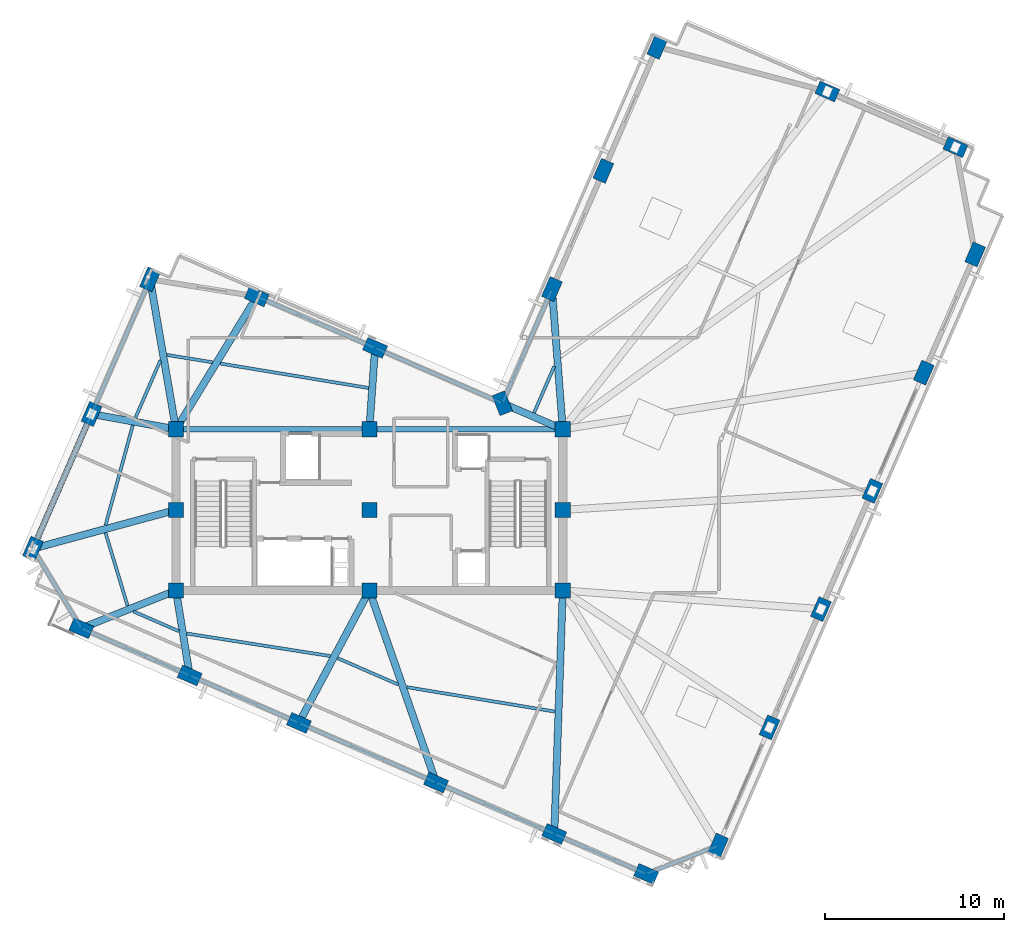
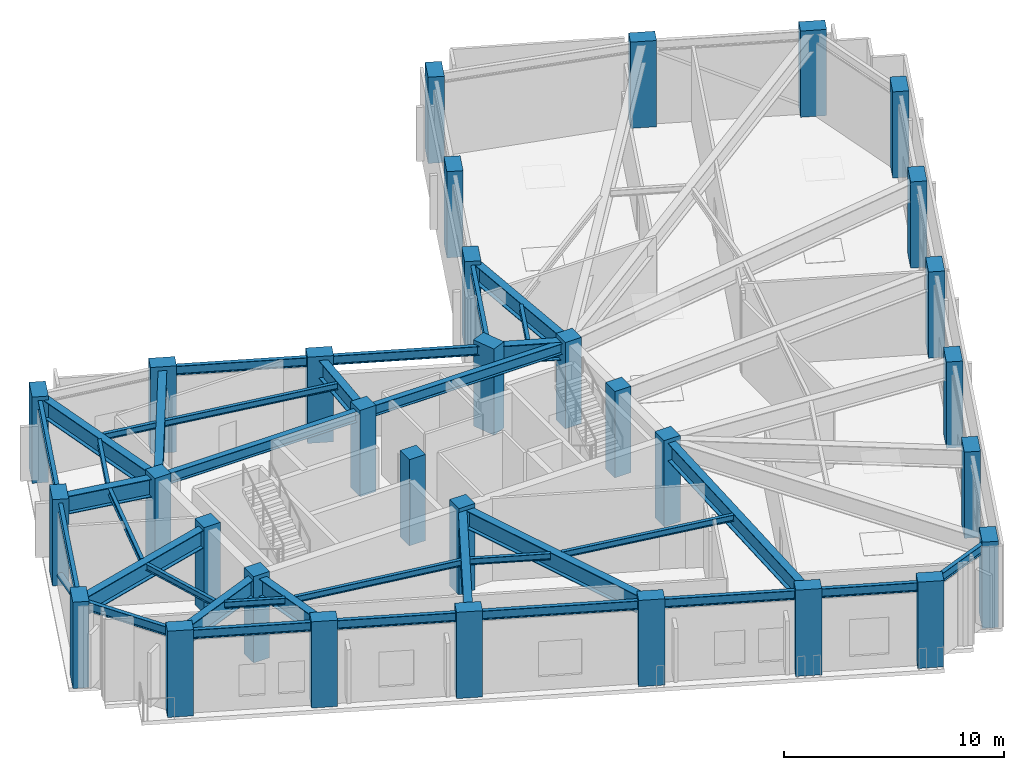
# One storey, part 1 of 11: 36 beams, 32 columns, 1 member.
"""IFC4 building model written with IfcOpenShell, lengths in metres."""

from ifc_helpers import new_model, si_unit, direction, frame, origin, origin_2d, place, context, subcontext, project, spatial, rectangle, hollow_circle, i_section, extrude, material, material_profile, profile_set, type_object, element, save


model = new_model("IFC4")

# Units and contexts
model_context = context("Model", 3, precision=1e-05, world=origin(), true_north=direction((0.0, 1.0)))
body_context = subcontext(model_context, "Body", "Model", "MODEL_VIEW")
ifc_project = project(units=[si_unit("LENGTHUNIT", "METRE"), si_unit("AREAUNIT", "SQUARE_METRE"), si_unit("VOLUMEUNIT", "CUBIC_METRE"), si_unit("PLANEANGLEUNIT", "RADIAN"), si_unit("MASSUNIT", "GRAM", prefix="KILO")], contexts=[model_context])

# Site, building, storey
site_placement = place(None, origin())
site = spatial("IfcSite", under=ifc_project, at=site_placement, CompositionType="ELEMENT")
building_placement = place(site_placement, origin())
building = spatial("IfcBuilding", under=site, at=building_placement, Name="Gaonmaruhae Medical Tower", CompositionType="ELEMENT")
storey_placement = place(building_placement, frame((0.0, 0.0, 328.60009765625)))
storey = spatial("IfcBuildingStorey", under=building, at=storey_placement, Name="L79", CompositionType="ELEMENT", Elevation=328.60009765625)

# Columns
ifc_material_1 = material(Name="Concrete C50/60", Category="concrete")
ifc_material_profile_1 = material_profile(ifc_material_1, rectangle(XDim=0.85009765625, YDim=0.85009765625, at=origin_2d()), Name="RC-850x850")
ifc_profile_set_1 = profile_set([ifc_material_profile_1], Name="Concrete C50/60")
column_type_1 = type_object("IfcColumnType", Name="CC-06 Upper Core Column (RC-850x850)", PredefinedType="COLUMN", material=ifc_profile_set_1)
for number, where, z_axis, x_axis, name in (
    (1, (14.0, 7.800048828125, 0.0), (0.0, 0.0, 1.0), (1.0, 0.0, 0.0), "L79 Plumb Core Column CC11"),
    (2, (14.0, 12.300048828125, 0.0), (0.0, 0.0, 1.0), (1.0, 0.0, 0.0), "L79 Plumb Core Column CC12"),
    (3, (14.0, 16.800048828125, 0.0), (0.0, 0.0, 1.0), (1.0, 0.0, 0.0), "L79 Plumb Core Column CC13"),
    (4, (24.800048828125, 7.800048828125, 0.0), (0.0, 0.0, 1.0), (1.0, 0.0, 0.0), "L79 Plumb Core Column CC21"),
    (5, (24.800048828125, 12.300048828125, 0.0), (0.0, 0.0, 1.0), (1.0, 0.0, 0.0), "L79 Plumb Core Column CC22"),
    (6, (24.800048828125, 16.800048828125, 0.0), (0.0, 0.0, 1.0), (1.0, 0.0, 0.0), "L79 Plumb Core Column CC23"),
    (7, (35.60009765625, 7.800048828125, 0.0), (0.0, 0.0, 1.0), (1.0, 0.0, 0.0), "L79 Plumb Core Column CC31"),
    (8, (35.60009765625, 12.300048828125, 0.0), (0.0, 0.0, 1.0), (1.0, 0.0, 0.0), "L79 Plumb Core Column CC32"),
    (9, (35.60009765625, 16.800048828125, 0.0), (0.0, 0.0, 1.0), (1.0, 0.0, 0.0), "L79 Plumb Core Column CC33"),
):
    element("IfcColumn", number, at=place(storey_placement, frame(where, z_axis=z_axis, x_axis=x_axis)), inside=storey, type_object=column_type_1, Name=name, PredefinedType="COLUMN", context=body_context, shape_type="SweptSolid", body=[
        extrude(rectangle(XDim=0.85009765625, YDim=0.85009765625, at=origin_2d()), origin(), (0.0, 0.0, 1.0), 4.7998046875),
    ])
ifc_material_profile_2 = material_profile(ifc_material_1, rectangle(XDim=1.199951171875, YDim=0.75, at=origin_2d()), Name="RC-1200x750")
ifc_profile_set_2 = profile_set([ifc_material_profile_2], Name="Concrete C50/60")
column_type_2 = type_object("IfcColumnType", Name="TC-03 Upper Raking Tube Pier Column (RC-1200x750)", PredefinedType="COLUMN", material=ifc_profile_set_2)
for number, where, z_axis, x_axis, name in (
    (10, (44.275146484375, -6.448486328125, 0.001708984375), (0.0, 0.0, 1.0), (0.398749068925, 0.917060074385, 0.0), "L79 Perimeter Tube Column S01"),
    (11, (47.14599609375, 0.154296875, 0.001708984375), (0.0, 0.0, 1.0), (0.398749068925, 0.917060074385, 0.0), "L79 Perimeter Tube Column S02"),
    (12, (50.01708984375, 6.75732421875, 0.001708984375), (0.0, 0.0, 1.0), (0.398749068925, 0.917060074385, 0.0), "L79 Perimeter Tube Column S03"),
    (13, (52.88818359375, 13.360107421875, 0.001708984375), (0.0, 0.0, 1.0), (0.398749068925, 0.917060074385, 0.0), "L79 Perimeter Tube Column S04"),
    (14, (55.759033203125, 19.962890625, 0.001708984375), (0.0, 0.0, 1.0), (0.398749068925, 0.917060074385, 0.0), "L79 Perimeter Tube Column S05"),
    (15, (58.630126953125, 26.565673828125, 0.001708984375), (0.0, 0.0, 1.0), (0.398749068925, 0.917060074385, 0.0), "L79 Perimeter Tube Column S06"),
    (16, (57.525634765625, 32.552734375, 0.001708984375), (0.0, 0.0, 1.0), (-0.917060074385, 0.398749068925, 0.0), "L79 Perimeter Tube Column E01"),
    (17, (50.372802734375, 35.662841796875, 0.001708984375), (0.0, 0.0, 1.0), (-0.917060074385, 0.398749068925, 0.0), "L79 Perimeter Tube Column E02"),
    (18, (40.879150390625, 38.155029296875, 0.001708984375), (0.0, 0.0, 1.0), (0.398749068925, 0.917060074385, 0.0), "L79 Perimeter Tube Column E03"),
    (19, (37.868408203125, 31.2314453125, 0.001708984375), (0.0, 0.0, 1.0), (0.398749068925, 0.917060074385, 0.0), "L79 Perimeter Tube Column EN01"),
    (20, (34.99755859375, 24.62841796875, 0.001708984375), (0.0, 0.0, 1.0), (0.398749068925, 0.917060074385, 0.0), "L79 Perimeter Tube Column EN02"),
    (21, (32.226318359375, 18.2548828125, 0.001708984375), (0.0, 0.0, 1.0), (-0.366501226724, 0.930417567982, 0.0), "L79 Perimeter Tube Column KN01"),
    (22, (25.118896484375, 21.34521484375, 0.001708984375), (0.0, 0.0, 1.0), (-0.917060074385, 0.398749068925, 0.0), "L79 Perimeter Tube Column NE01"),
    (23, (18.51611328125, 24.21630859375, 0.001708984375), (0.0, 0.0, 1.0), (-0.917060074385, 0.398749068925, 0.0), "L79 Perimeter Tube Column NE02"),
    (24, (12.55322265625, 25.17333984375, 0.001708984375), (0.0, 0.0, 1.0), (0.398749068925, 0.917060074385, 0.0), "L79 Perimeter Tube Column N01"),
    (25, (9.283447265625, 17.653564453125, 0.001708984375), (0.0, 0.0, 1.0), (0.398749068925, 0.917060074385, 0.0), "L79 Perimeter Tube Column N02"),
    (26, (6.013671875, 10.133544921875, 0.001708984375), (0.0, 0.0, 1.0), (0.398749068925, 0.917060074385, 0.0), "L79 Perimeter Tube Column N03"),
    (27, (8.715087890625, 5.687744140625, 0.001708984375), (0.0, 0.0, 1.0), (-0.917060074385, 0.398749068925, 0.0), "L79 Perimeter Tube Column W01"),
    (28, (14.767578125, 3.055908203125, 0.001708984375), (0.0, 0.0, 1.0), (-0.917060074385, 0.398749068925, 0.0), "L79 Perimeter Tube Column W02"),
    (29, (20.865966796875, 0.404296875, 0.001708984375), (0.0, 0.0, 1.0), (-0.917060074385, 0.398749068925, 0.0), "L79 Perimeter Tube Column W03"),
    (30, (28.5234375, -2.92529296875, 0.001708984375), (0.0, 0.0, 1.0), (-0.917060074385, 0.398749068925, 0.0), "L79 Perimeter Tube Column W04"),
    (31, (35.12646484375, -5.79638671875, 0.001708984375), (0.0, 0.0, 1.0), (-0.917060074385, 0.398749068925, 0.0), "L79 Perimeter Tube Column W05"),
    (32, (40.261962890625, -8.029296875, 0.001708984375), (0.0, 0.0, 1.0), (-0.917060074385, 0.398749068925, 0.0), "L79 Perimeter Tube Column W06"),
):
    element("IfcColumn", number, at=place(storey_placement, frame(where, z_axis=z_axis, x_axis=x_axis)), inside=storey, type_object=column_type_2, Name=name, PredefinedType="COLUMN", context=body_context, shape_type="SweptSolid", body=[
        extrude(rectangle(XDim=1.199951171875, YDim=0.75, at=origin_2d()), origin(), (0.0, 0.0, 1.0), 4.79638671875),
    ])

# Beams
ifc_material_2 = material(Name="Steel SM420", Category="steel")
ifc_material_profile_3 = material_profile(ifc_material_2, i_section(OverallWidth=0.39990234375, OverallDepth=1.0, WebThickness=0.02197265625, FlangeThickness=0.035888671875, at=origin_2d()), Name="BH-1000x400x22x36")
ifc_profile_set_3 = profile_set([ifc_material_profile_3], Name="Steel SM420")
beam_type_1 = type_object("IfcBeamType", Name="BG-02 Refuge Floor Primary Girder (BH-1000x400x22x36)", PredefinedType="BEAM", material=ifc_profile_set_3)
beam_1_placement = place(storey_placement, frame((35.59619140625, 16.849853515625, 4.079833984375), z_axis=(-0.076722992115, 0.997052447207, 0.0), x_axis=(-0.997052447207, -0.076722992115, 0.0)))
element("IfcBeam", 33, at=beam_1_placement, inside=storey, type_object=beam_type_1, Name="L79 Radial Primary Girder EN02", PredefinedType="BEAM", context=body_context, shape_type="SweptSolid", body=[
    extrude(i_section(OverallWidth=0.39990234375, OverallDepth=1.0, WebThickness=0.02197265625, FlangeThickness=0.035888671875, at=origin_2d()), origin(), (0.0, 0.0, 1.0), 7.751708984375),
])
beam_2_placement = place(storey_placement, frame((35.55419921875, 16.81982421875, 4.079833984375), z_axis=(-0.918259431029, 0.395979314266, 0.0), x_axis=(-0.395979314266, -0.918259431029, 0.0)))
element("IfcBeam", 34, at=beam_2_placement, inside=storey, type_object=beam_type_1, Name="L79 Radial Primary Girder KN01", PredefinedType="BEAM", context=body_context, shape_type="SweptSolid", body=[
    extrude(i_section(OverallWidth=0.39990234375, OverallDepth=1.0, WebThickness=0.02197265625, FlangeThickness=0.035888671875, at=origin_2d()), origin(), (0.0, 0.0, 1.0), 3.57421875),
])
beam_3_placement = place(storey_placement, frame((24.803466796875, 16.849853515625, 4.079833984375), z_axis=(0.070012845455, 0.997546089898, 0.0), x_axis=(-0.997546089898, 0.070012845455, 0.0)))
element("IfcBeam", 35, at=beam_3_placement, inside=storey, type_object=beam_type_1, Name="L79 Radial Primary Girder NE01", PredefinedType="BEAM", context=body_context, shape_type="SweptSolid", body=[
    extrude(i_section(OverallWidth=0.39990234375, OverallDepth=1.0, WebThickness=0.02197265625, FlangeThickness=0.035888671875, at=origin_2d()), origin(), (0.0, 0.0, 1.0), 4.45654296875),
])
beam_4_placement = place(storey_placement, frame((14.026123046875, 16.8427734375, 4.079833984375), z_axis=(0.520106658264, 0.854101319534, 0.0), x_axis=(-0.854101319534, 0.520106658264, 0.0)))
element("IfcBeam", 36, at=beam_4_placement, inside=storey, type_object=beam_type_1, Name="L79 Radial Primary Girder NE02", PredefinedType="BEAM", context=body_context, shape_type="SweptSolid", body=[
    extrude(i_section(OverallWidth=0.39990234375, OverallDepth=1.0, WebThickness=0.02197265625, FlangeThickness=0.035888671875, at=origin_2d()), origin(), (0.0, 0.0, 1.0), 8.5830078125),
])
beam_5_placement = place(storey_placement, frame((13.991455078125, 16.849365234375, 4.079833984375), z_axis=(-0.170256429826, 0.985399791, 0.0), x_axis=(-0.985399791, -0.170256429826, 0.0)))
element("IfcBeam", 37, at=beam_5_placement, inside=storey, type_object=beam_type_1, Name="L79 Radial Primary Girder N01", PredefinedType="BEAM", context=body_context, shape_type="SweptSolid", body=[
    extrude(i_section(OverallWidth=0.39990234375, OverallDepth=1.0, WebThickness=0.02197265625, FlangeThickness=0.035888671875, at=origin_2d()), origin(), (0.0, 0.0, 1.0), 8.397216796875),
])
beam_6_placement = place(storey_placement, frame((13.95068359375, 16.808837890625, 4.079833984375), z_axis=(-0.984016905829, 0.17807506575, 0.0), x_axis=(-0.17807506575, -0.984016905829, 0.0)))
element("IfcBeam", 38, at=beam_6_placement, inside=storey, type_object=beam_type_1, Name="L79 Radial Primary Girder N02", PredefinedType="BEAM", context=body_context, shape_type="SweptSolid", body=[
    extrude(i_section(OverallWidth=0.39990234375, OverallDepth=1.0, WebThickness=0.02197265625, FlangeThickness=0.035888671875, at=origin_2d()), origin(), (0.0, 0.0, 1.0), 4.69287109375),
])
beam_7_placement = place(storey_placement, frame((13.95166015625, 12.286865234375, 4.079833984375), z_axis=(-0.965122679795, -0.261798038467, 0.0), x_axis=(0.261798038467, -0.965122679795, 0.0)))
element("IfcBeam", 39, at=beam_7_placement, inside=storey, type_object=beam_type_1, Name="L79 Radial Primary Girder N03", PredefinedType="BEAM", context=body_context, shape_type="SweptSolid", body=[
    extrude(i_section(OverallWidth=0.39990234375, OverallDepth=1.0, WebThickness=0.02197265625, FlangeThickness=0.035888671875, at=origin_2d()), origin(), (0.0, 0.0, 1.0), 8.1748046875),
])
beam_8_placement = place(storey_placement, frame((13.95361328125, 7.781494140625, 4.079833984375), z_axis=(-0.928579037594, -0.371134707272, 0.0), x_axis=(0.371134707272, -0.928579037594, 0.0)))
element("IfcBeam", 40, at=beam_8_placement, inside=storey, type_object=beam_type_1, Name="L79 Radial Primary Girder W01", PredefinedType="BEAM", context=body_context, shape_type="SweptSolid", body=[
    extrude(i_section(OverallWidth=0.39990234375, OverallDepth=1.0, WebThickness=0.02197265625, FlangeThickness=0.035888671875, at=origin_2d()), origin(), (0.0, 0.0, 1.0), 5.591552734375),
])
beam_9_placement = place(storey_placement, frame((14.008056640625, 7.750732421875, 4.079833984375), z_axis=(0.159685869984, -0.987167879809, 0.0), x_axis=(0.987167879809, 0.159685869984, 0.0)))
element("IfcBeam", 41, at=beam_9_placement, inside=storey, type_object=beam_type_1, Name="L79 Radial Primary Girder W02", PredefinedType="BEAM", context=body_context, shape_type="SweptSolid", body=[
    extrude(i_section(OverallWidth=0.39990234375, OverallDepth=1.0, WebThickness=0.02197265625, FlangeThickness=0.035888671875, at=origin_2d()), origin(), (0.0, 0.0, 1.0), 4.705810546875),
])
beam_10_placement = place(storey_placement, frame((24.776611328125, 7.755859375, 4.079833984375), z_axis=(-0.469618843189, -0.882869266722, 0.0), x_axis=(0.882869266722, -0.469618843189, 0.0)))
element("IfcBeam", 42, at=beam_10_placement, inside=storey, type_object=beam_type_1, Name="L79 Radial Primary Girder W03", PredefinedType="BEAM", context=body_context, shape_type="SweptSolid", body=[
    extrude(i_section(OverallWidth=0.39990234375, OverallDepth=1.0, WebThickness=0.02197265625, FlangeThickness=0.035888671875, at=origin_2d()), origin(), (0.0, 0.0, 1.0), 8.27685546875),
])
beam_11_placement = place(storey_placement, frame((24.81640625, 7.752685546875, 4.079833984375), z_axis=(0.327964362011, -0.944690095878, 0.0), x_axis=(0.944690095878, 0.327964362011, 0.0)))
element("IfcBeam", 43, at=beam_11_placement, inside=storey, type_object=beam_type_1, Name="L79 Radial Primary Girder W04", PredefinedType="BEAM", context=body_context, shape_type="SweptSolid", body=[
    extrude(i_section(OverallWidth=0.39990234375, OverallDepth=1.0, WebThickness=0.02197265625, FlangeThickness=0.035888671875, at=origin_2d()), origin(), (0.0, 0.0, 1.0), 11.253173828125),
])
beam_12_placement = place(storey_placement, frame((35.59814453125, 7.75, 4.079833984375), z_axis=(-0.034800997703, -0.99939426182, 0.0), x_axis=(0.99939426182, -0.034800997703, 0.0)))
element("IfcBeam", 44, at=beam_12_placement, inside=storey, type_object=beam_type_1, Name="L79 Radial Primary Girder W05", PredefinedType="BEAM", context=body_context, shape_type="SweptSolid", body=[
    extrude(i_section(OverallWidth=0.39990234375, OverallDepth=1.0, WebThickness=0.02197265625, FlangeThickness=0.035888671875, at=origin_2d()), origin(), (0.0, 0.0, 1.0), 13.504638671875),
])
ifc_material_3 = material(Name="Steel SM355", Category="steel")
ifc_material_profile_4 = material_profile(ifc_material_3, i_section(OverallWidth=0.175048828125, OverallDepth=0.35009765625, WebThickness=0.007080078125, FlangeThickness=0.010986328125, FilletRadius=0.012939453125, at=origin_2d()), Name="H-350x175x7x11")
ifc_profile_set_4 = profile_set([ifc_material_profile_4], Name="Steel SM355")
beam_type_2 = type_object("IfcBeamType", Name="FJ-02 Upper Zone Ward Floor Joist (H-350x175x7x11)", PredefinedType="JOIST", material=ifc_profile_set_4)
beam_13_placement = place(storey_placement, frame((35.1259765625, 20.31689453125, 4.40478515625), z_axis=(-0.398704074368, -0.917079637263, 0.0), x_axis=(0.917079637263, -0.398704074368, 0.0)))
element("IfcBeam", 45, at=beam_13_placement, inside=storey, type_object=beam_type_2, Name="L79 Secondary Floor Joist FJ08", PredefinedType="JOIST", context=body_context, shape_type="SweptSolid", body=[
    extrude(i_section(OverallWidth=0.175048828125, OverallDepth=0.35009765625, WebThickness=0.007080078125, FlangeThickness=0.010986328125, FilletRadius=0.012939453125, at=origin_2d()), origin(), (0.0, 0.0, 1.0), 2.835693359375),
])
beam_14_placement = place(storey_placement, frame((24.75537109375, 19.106201171875, 4.40478515625), z_axis=(-0.986663894193, 0.162770881598, 0.0), x_axis=(-0.162770881598, -0.986663894193, 0.0)))
element("IfcBeam", 46, at=beam_14_placement, inside=storey, type_object=beam_type_2, Name="L79 Secondary Floor Joist FJ10", PredefinedType="JOIST", context=body_context, shape_type="SweptSolid", body=[
    extrude(i_section(OverallWidth=0.175048828125, OverallDepth=0.35009765625, WebThickness=0.007080078125, FlangeThickness=0.010986328125, FilletRadius=0.012939453125, at=origin_2d()), origin(), (0.0, 0.0, 1.0), 8.390380859375),
])
beam_15_placement = place(storey_placement, frame((16.038818359375, 20.543212890625, 4.40478515625), z_axis=(-0.987360795074, 0.158488675779, 0.0), x_axis=(-0.158488675779, -0.987360795074, 0.0)))
element("IfcBeam", 47, at=beam_15_placement, inside=storey, type_object=beam_type_2, Name="L79 Secondary Floor Joist FJ11", PredefinedType="JOIST", context=body_context, shape_type="SweptSolid", body=[
    extrude(i_section(OverallWidth=0.175048828125, OverallDepth=0.35009765625, WebThickness=0.007080078125, FlangeThickness=0.010986328125, FilletRadius=0.012939453125, at=origin_2d()), origin(), (0.0, 0.0, 1.0), 2.580322265625),
])
beam_16_placement = place(storey_placement, frame((13.12890625, 20.64697265625, 4.40478515625), z_axis=(-0.398746411425, -0.917061229895, 0.0), x_axis=(0.917061229895, -0.398746411425, 0.0)))
element("IfcBeam", 48, at=beam_16_placement, inside=storey, type_object=beam_type_2, Name="L79 Secondary Floor Joist FJ12", PredefinedType="JOIST", context=body_context, shape_type="SweptSolid", body=[
    extrude(i_section(OverallWidth=0.175048828125, OverallDepth=0.35009765625, WebThickness=0.007080078125, FlangeThickness=0.010986328125, FilletRadius=0.012939453125, at=origin_2d()), origin(), (0.0, 0.0, 1.0), 3.51806640625),
])
beam_17_placement = place(storey_placement, frame((11.58740234375, 17.027099609375, 4.40478515625), z_axis=(-0.262477989376, -0.964937979921, 0.0), x_axis=(0.964937979921, -0.262477989376, 0.0)))
element("IfcBeam", 49, at=beam_17_placement, inside=storey, type_object=beam_type_2, Name="L79 Secondary Floor Joist FJ13", PredefinedType="JOIST", context=body_context, shape_type="SweptSolid", body=[
    extrude(i_section(OverallWidth=0.175048828125, OverallDepth=0.35009765625, WebThickness=0.007080078125, FlangeThickness=0.010986328125, FilletRadius=0.012939453125, at=origin_2d()), origin(), (0.0, 0.0, 1.0), 5.78369140625),
])
beam_18_placement = place(storey_placement, frame((10.06640625, 11.01953125, 4.40478515625), z_axis=(0.289103701868, -0.957297785209, 0.0), x_axis=(0.957297785209, 0.289103701868, 0.0)))
element("IfcBeam", 50, at=beam_18_placement, inside=storey, type_object=beam_type_2, Name="L79 Secondary Floor Joist FJ14", PredefinedType="JOIST", context=body_context, shape_type="SweptSolid", body=[
    extrude(i_section(OverallWidth=0.175048828125, OverallDepth=0.35009765625, WebThickness=0.007080078125, FlangeThickness=0.010986328125, FilletRadius=0.012939453125, at=origin_2d()), origin(), (0.0, 0.0, 1.0), 4.259521484375),
])
beam_19_placement = place(storey_placement, frame((11.62109375, 6.629150390625, 4.40478515625), z_axis=(0.917075663277, -0.398713215012, 0.0), x_axis=(0.398713215012, 0.917075663277, 0.0)))
element("IfcBeam", 51, at=beam_19_placement, inside=storey, type_object=beam_type_2, Name="L79 Secondary Floor Joist FJ15", PredefinedType="JOIST", context=body_context, shape_type="SweptSolid", body=[
    extrude(i_section(OverallWidth=0.175048828125, OverallDepth=0.35009765625, WebThickness=0.007080078125, FlangeThickness=0.010986328125, FilletRadius=0.012939453125, at=origin_2d()), origin(), (0.0, 0.0, 1.0), 2.768798828125),
])
beam_20_placement = place(storey_placement, frame((14.59765625, 5.39453125, 4.40478515625), z_axis=(0.9879068852, -0.15504833496, 0.0), x_axis=(0.15504833496, 0.9879068852, 0.0)))
element("IfcBeam", 52, at=beam_20_placement, inside=storey, type_object=beam_type_2, Name="L79 Secondary Floor Joist FJ16", PredefinedType="JOIST", context=body_context, shape_type="SweptSolid", body=[
    extrude(i_section(OverallWidth=0.175048828125, OverallDepth=0.35009765625, WebThickness=0.007080078125, FlangeThickness=0.010986328125, FilletRadius=0.012939453125, at=origin_2d()), origin(), (0.0, 0.0, 1.0), 8.11865234375),
])
beam_21_placement = place(storey_placement, frame((23.0224609375, 4.019775390625, 4.40478515625), z_axis=(0.91705533197, -0.398759975555, 0.0), x_axis=(0.398759975555, 0.91705533197, 0.0)))
element("IfcBeam", 53, at=beam_21_placement, inside=storey, type_object=beam_type_2, Name="L79 Secondary Floor Joist FJ17", PredefinedType="JOIST", context=body_context, shape_type="SweptSolid", body=[
    extrude(i_section(OverallWidth=0.175048828125, OverallDepth=0.35009765625, WebThickness=0.007080078125, FlangeThickness=0.010986328125, FilletRadius=0.012939453125, at=origin_2d()), origin(), (0.0, 0.0, 1.0), 3.690673828125),
])
beam_22_placement = place(storey_placement, frame((26.892333984375, 2.3994140625, 4.40478515625), z_axis=(0.986661186603, -0.162787293274, 0.0), x_axis=(0.162787293274, 0.986661186603, 0.0)))
element("IfcBeam", 54, at=beam_22_placement, inside=storey, type_object=beam_type_2, Name="L79 Secondary Floor Joist FJ18", PredefinedType="JOIST", context=body_context, shape_type="SweptSolid", body=[
    extrude(i_section(OverallWidth=0.175048828125, OverallDepth=0.35009765625, WebThickness=0.007080078125, FlangeThickness=0.010986328125, FilletRadius=0.012939453125, at=origin_2d()), origin(), (0.0, 0.0, 1.0), 8.377685546875),
])

# Member
ifc_material_profile_5 = material_profile(ifc_material_3, hollow_circle(Radius=0.1591796875, WallThickness=0.01025390625, at=origin_2d()), Name="CHS-318.5x10.3")
ifc_profile_set_5 = profile_set([ifc_material_profile_5], Name="Steel SM355")
member_type = type_object("IfcMemberType", Name="PB-03 Perimeter Solid-Bay Tube Brace Upper (CHS-318.5x10.3)", PredefinedType="BRACE", material=ifc_profile_set_5)
member_placement = place(storey_placement, frame((9.283447265625, 17.653564453125, 0.25), z_axis=(-0.357001588613, -0.821053007725, 0.445445646779), x_axis=(0.917061062653, -0.398746796056, 0.0)))
element("IfcMember", 55, at=member_placement, inside=storey, type_object=member_type, Name="L79 Perimeter Tube Solid-Bay Brace N02-N03", PredefinedType="BRACE", context=body_context, shape_type="SweptSolid", body=[
    extrude(hollow_circle(Radius=0.1591796875, WallThickness=0.01025390625, at=origin_2d()), origin(), (0.0, 0.0, 1.0), 9.158935546875),
])

# Beams
ifc_material_profile_6 = material_profile(ifc_material_2, i_section(OverallWidth=0.300048828125, OverallDepth=0.60009765625, WebThickness=0.011962890625, FlangeThickness=0.02001953125, FilletRadius=0.012939453125, at=origin_2d()), Name="H-600x300x12x20")
ifc_profile_set_6 = profile_set([ifc_material_profile_6], Name="Steel SM420")
beam_type_3 = type_object("IfcBeamType", Name="PG-04 Zone 4 Radial Floor Girder (H-600x300x12x20)", PredefinedType="BEAM", material=ifc_profile_set_6)
for number, where, z_axis, x_axis, name in (
    (56, (14.050048828125, 16.800048828125, 4.27978515625), (1.0, 0.0, 0.0), (0.0, 1.0, 0.0), "L79 Beam BM-L79-CG-N1"),
    (57, (24.85009765625, 16.800048828125, 4.27978515625), (1.0, 0.0, 0.0), (0.0, 1.0, 0.0), "L79 Beam BM-L79-CG-N2"),
):
    element("IfcBeam", number, at=place(storey_placement, frame(where, z_axis=z_axis, x_axis=x_axis)), inside=storey, type_object=beam_type_3, Name=name, PredefinedType="BEAM", context=body_context, shape_type="SweptSolid", body=[
        extrude(i_section(OverallWidth=0.300048828125, OverallDepth=0.60009765625, WebThickness=0.011962890625, FlangeThickness=0.02001953125, FilletRadius=0.012939453125, at=origin_2d()), origin(), (0.0, 0.0, 1.0), 10.699951171875),
    ])
ifc_material_profile_7 = material_profile(ifc_material_3, i_section(OverallWidth=0.199951171875, OverallDepth=0.5, WebThickness=0.010009765625, FlangeThickness=0.01611328125, FilletRadius=0.012939453125, at=origin_2d()), Name="H-500x200x10x16")
ifc_profile_set_7 = profile_set([ifc_material_profile_7], Name="Steel SM355")
beam_type_4 = type_object("IfcBeamType", Name="SP-02 Upper Perimeter Spandrel Beam (H-500x200x10x16)", PredefinedType="SPANDREL", material=ifc_profile_set_7)
beam_23_placement = place(storey_placement, frame((34.981689453125, 24.591796875, 4.329833984375), z_axis=(-0.398768993563, -0.917051410649, 0.0), x_axis=(0.917051410649, -0.398768993563, 0.0)))
element("IfcBeam", 58, at=beam_23_placement, inside=storey, type_object=beam_type_4, Name="L79 Perimeter Spandrel Beam EN02-KN01", PredefinedType="SPANDREL", context=body_context, shape_type="SweptSolid", body=[
    extrude(i_section(OverallWidth=0.199951171875, OverallDepth=0.5, WebThickness=0.010009765625, FlangeThickness=0.01611328125, FilletRadius=0.012939453125, at=origin_2d()), origin(), (0.0, 0.0, 1.0), 6.869873046875),
])
beam_24_placement = place(storey_placement, frame((32.189453125, 18.27099609375, 4.329833984375), z_axis=(-0.917059428629, 0.398750554059, 0.0), x_axis=(-0.398750554059, -0.917059428629, 0.0)))
element("IfcBeam", 59, at=beam_24_placement, inside=storey, type_object=beam_type_4, Name="L79 Perimeter Spandrel Beam KN01-NE01", PredefinedType="SPANDREL", context=body_context, shape_type="SweptSolid", body=[
    extrude(i_section(OverallWidth=0.199951171875, OverallDepth=0.5, WebThickness=0.010009765625, FlangeThickness=0.01611328125, FilletRadius=0.012939453125, at=origin_2d()), origin(), (0.0, 0.0, 1.0), 7.669921875),
])
beam_25_placement = place(storey_placement, frame((25.082275390625, 21.361083984375, 4.329833984375), z_axis=(-0.917055336493, 0.398759965154, 0.0), x_axis=(-0.398759965154, -0.917055336493, 0.0)))
element("IfcBeam", 60, at=beam_25_placement, inside=storey, type_object=beam_type_4, Name="L79 Perimeter Spandrel Beam NE01-NE02", PredefinedType="SPANDREL", context=body_context, shape_type="SweptSolid", body=[
    extrude(i_section(OverallWidth=0.199951171875, OverallDepth=0.5, WebThickness=0.010009765625, FlangeThickness=0.01611328125, FilletRadius=0.012939453125, at=origin_2d()), origin(), (0.0, 0.0, 1.0), 7.119873046875),
])
for number, where, z_axis, x_axis, name in (
    (61, (12.537353515625, 25.13671875, 4.329833984375), (-0.398743701995, -0.917062407974, 0.0), (0.917062407974, -0.398743701995, 0.0), "L79 Perimeter Spandrel Beam N01-N02"),
    (62, (9.267578125, 17.61669921875, 4.329833984375), (-0.398743701995, -0.917062407974, 0.0), (0.917062407974, -0.398743701995, 0.0), "L79 Perimeter Spandrel Beam N02-N03"),
):
    element("IfcBeam", number, at=place(storey_placement, frame(where, z_axis=z_axis, x_axis=x_axis)), inside=storey, type_object=beam_type_4, Name=name, PredefinedType="SPANDREL", context=body_context, shape_type="SweptSolid", body=[
        extrude(i_section(OverallWidth=0.199951171875, OverallDepth=0.5, WebThickness=0.010009765625, FlangeThickness=0.01611328125, FilletRadius=0.012939453125, at=origin_2d()), origin(), (0.0, 0.0, 1.0), 8.119873046875),
    ])
beam_26_placement = place(storey_placement, frame((6.034423828125, 10.099365234375, 4.329833984375), z_axis=(0.519289042516, -0.854598672081, 0.0), x_axis=(0.854598672081, 0.519289042516, 0.0)))
element("IfcBeam", 63, at=beam_26_placement, inside=storey, type_object=beam_type_4, Name="L79 Perimeter Spandrel Beam N03-W01", PredefinedType="SPANDREL", context=body_context, shape_type="SweptSolid", body=[
    extrude(i_section(OverallWidth=0.199951171875, OverallDepth=0.5, WebThickness=0.010009765625, FlangeThickness=0.01611328125, FilletRadius=0.012939453125, at=origin_2d()), origin(), (0.0, 0.0, 1.0), 5.122314453125),
])
beam_27_placement = place(storey_placement, frame((8.751708984375, 5.671630859375, 4.329833984375), z_axis=(0.917059935749, -0.398749387767, 0.0), x_axis=(0.398749387767, 0.917059935749, 0.0)))
element("IfcBeam", 64, at=beam_27_placement, inside=storey, type_object=beam_type_4, Name="L79 Perimeter Spandrel Beam W01-W02", PredefinedType="SPANDREL", context=body_context, shape_type="SweptSolid", body=[
    extrude(i_section(OverallWidth=0.199951171875, OverallDepth=0.5, WebThickness=0.010009765625, FlangeThickness=0.01611328125, FilletRadius=0.012939453125, at=origin_2d()), origin(), (0.0, 0.0, 1.0), 6.52001953125),
])
beam_28_placement = place(storey_placement, frame((14.80419921875, 3.0400390625, 4.329833984375), z_axis=(0.917056468028, -0.398757362876, 0.0), x_axis=(0.398757362876, 0.917056468028, 0.0)))
element("IfcBeam", 65, at=beam_28_placement, inside=storey, type_object=beam_type_4, Name="L79 Perimeter Spandrel Beam W02-W03", PredefinedType="SPANDREL", context=body_context, shape_type="SweptSolid", body=[
    extrude(i_section(OverallWidth=0.199951171875, OverallDepth=0.5, WebThickness=0.010009765625, FlangeThickness=0.01611328125, FilletRadius=0.012939453125, at=origin_2d()), origin(), (0.0, 0.0, 1.0), 6.570068359375),
])
beam_29_placement = place(storey_placement, frame((20.90283203125, 0.388427734375, 4.329833984375), z_axis=(0.917049404199, -0.398773607775, 0.0), x_axis=(0.398773607775, 0.917049404199, 0.0)))
element("IfcBeam", 66, at=beam_29_placement, inside=storey, type_object=beam_type_4, Name="L79 Perimeter Spandrel Beam W03-W04", PredefinedType="SPANDREL", context=body_context, shape_type="SweptSolid", body=[
    extrude(i_section(OverallWidth=0.199951171875, OverallDepth=0.5, WebThickness=0.010009765625, FlangeThickness=0.01611328125, FilletRadius=0.012939453125, at=origin_2d()), origin(), (0.0, 0.0, 1.0), 8.27001953125),
])
beam_30_placement = place(storey_placement, frame((28.560302734375, -2.941162109375, 4.329833984375), z_axis=(0.917055336493, -0.398759965154, 0.0), x_axis=(0.398759965154, 0.917055336493, 0.0)))
element("IfcBeam", 67, at=beam_30_placement, inside=storey, type_object=beam_type_4, Name="L79 Perimeter Spandrel Beam W04-W05", PredefinedType="SPANDREL", context=body_context, shape_type="SweptSolid", body=[
    extrude(i_section(OverallWidth=0.199951171875, OverallDepth=0.5, WebThickness=0.010009765625, FlangeThickness=0.01611328125, FilletRadius=0.012939453125, at=origin_2d()), origin(), (0.0, 0.0, 1.0), 7.119873046875),
])
beam_31_placement = place(storey_placement, frame((35.1630859375, -5.812255859375, 4.329833984375), z_axis=(0.917050366415, -0.398771394984, 0.0), x_axis=(0.398771394984, 0.917050366415, 0.0)))
element("IfcBeam", 68, at=beam_31_placement, inside=storey, type_object=beam_type_4, Name="L79 Perimeter Spandrel Beam W05-W06", PredefinedType="SPANDREL", context=body_context, shape_type="SweptSolid", body=[
    extrude(i_section(OverallWidth=0.199951171875, OverallDepth=0.5, WebThickness=0.010009765625, FlangeThickness=0.01611328125, FilletRadius=0.012939453125, at=origin_2d()), origin(), (0.0, 0.0, 1.0), 5.519775390625),
])
beam_32_placement = place(storey_placement, frame((40.299072265625, -8.0146484375, 4.329833984375), z_axis=(0.930416736169, 0.366503338397, 0.0), x_axis=(-0.366503338397, 0.930416736169, 0.0)))
element("IfcBeam", 69, at=beam_32_placement, inside=storey, type_object=beam_type_4, Name="L79 Perimeter Spandrel Beam W06-S01", PredefinedType="SPANDREL", context=body_context, shape_type="SweptSolid", body=[
    extrude(i_section(OverallWidth=0.199951171875, OverallDepth=0.5, WebThickness=0.010009765625, FlangeThickness=0.01611328125, FilletRadius=0.012939453125, at=origin_2d()), origin(), (0.0, 0.0, 1.0), 4.2333984375),
])

save(model, "model.ifc")
